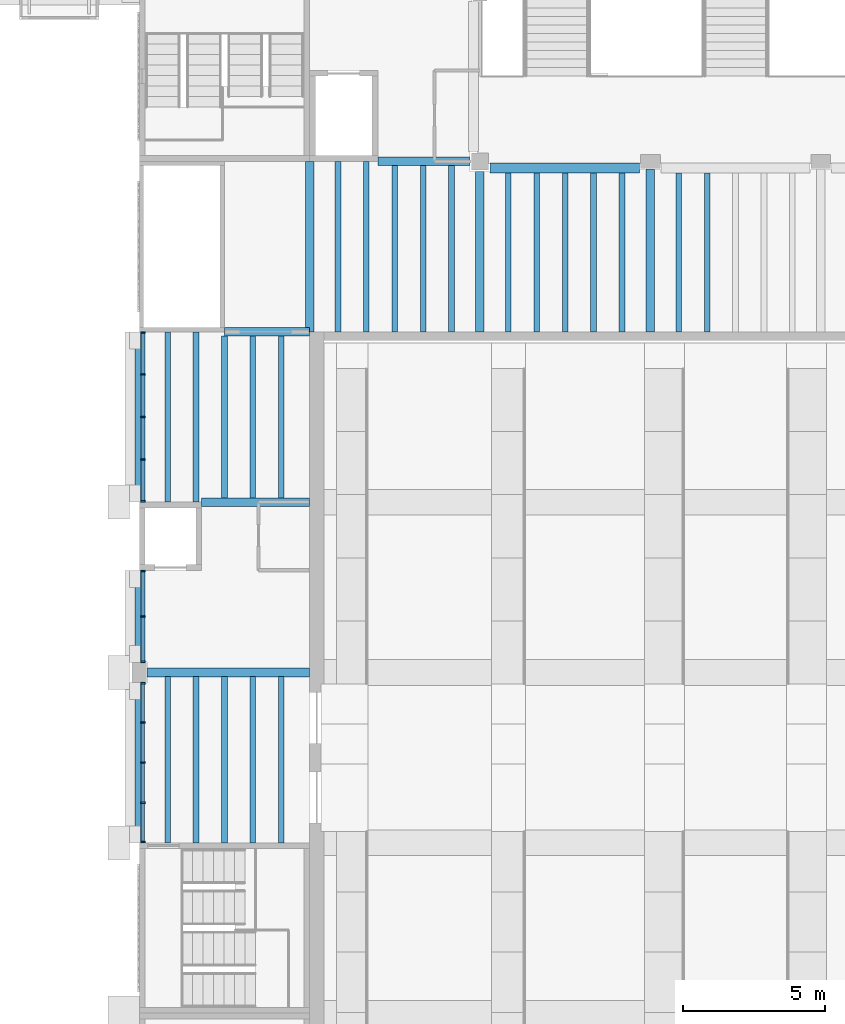
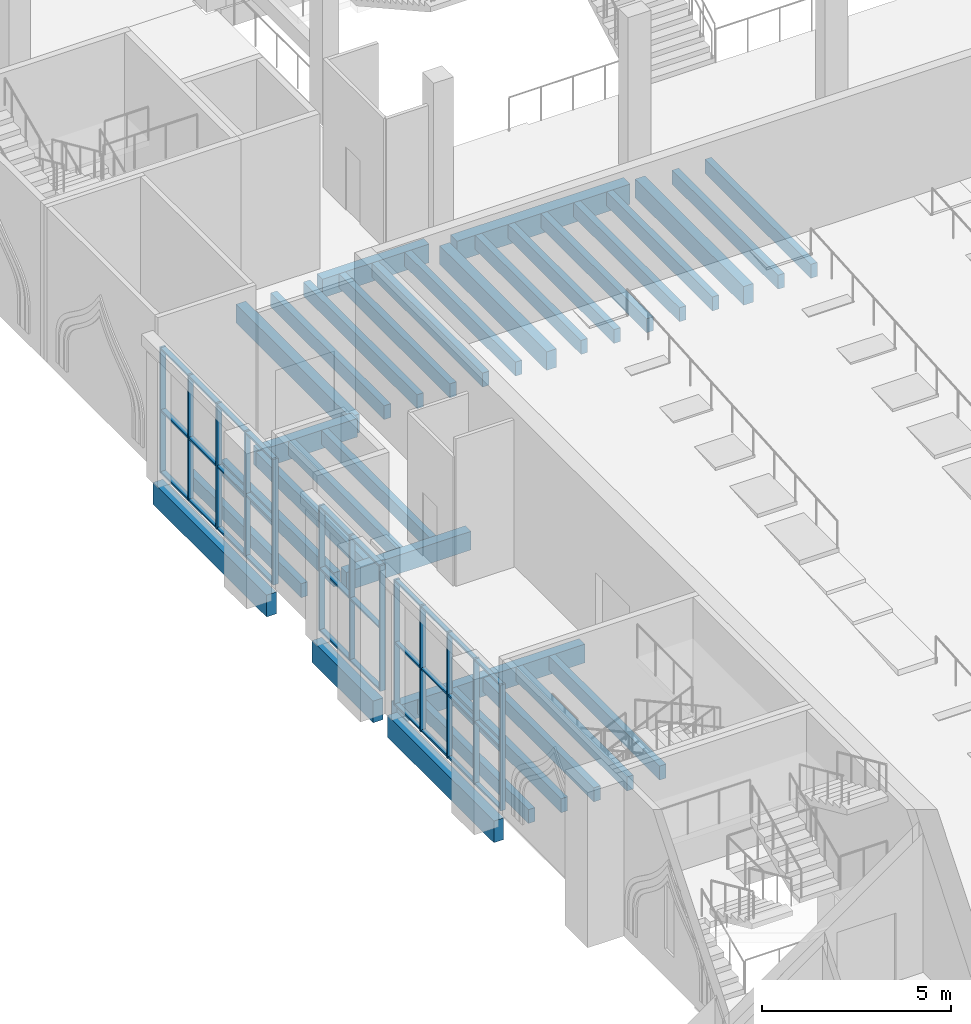
# One storey, part 19 of 80: 43 members, 33 beams, 3 elements without a shape of their own.
"""IFC4 building model written with IfcOpenShell, lengths in metres."""

from ifc_helpers import new_model, si_unit, direction, frame, origin, origin_2d, place, context, subcontext, project, spatial, rectangle, extrude, material, material_profile, profile_set, type_object, element, aggregate, save


model = new_model("IFC4")

# Units and contexts
model_context = context("Model", 3, precision=1e-05, world=origin(), true_north=direction((0.0, 1.0)))
body_context = subcontext(model_context, "Body", "Model", "MODEL_VIEW")
ifc_project = project(units=[si_unit("LENGTHUNIT", "METRE"), si_unit("AREAUNIT", "SQUARE_METRE"), si_unit("VOLUMEUNIT", "CUBIC_METRE"), si_unit("PLANEANGLEUNIT", "RADIAN"), si_unit("MASSUNIT", "GRAM", prefix="KILO")], contexts=[model_context])

# Site, building, storey
site_placement = place(None, origin())
site = spatial("IfcSite", under=ifc_project, at=site_placement, CompositionType="ELEMENT")
building_placement = place(site_placement, origin())
building = spatial("IfcBuilding", under=site, at=building_placement, Name="Saffron Lane Theatres", CompositionType="ELEMENT")
storey_placement = place(building_placement, frame((0.0, 0.0, 7.0)))
storey = spatial("IfcBuildingStorey", under=building, at=storey_placement, Name="L01", CompositionType="ELEMENT", Elevation=7.0)

# Curtain wall, members
ifc_material_1 = material(Name="Aluminium", Category="aluminium")
curtain_wall_type_1 = type_object("IfcCurtainWallType", Name="EX-CURTAIN WALL 5650x4050x160", PredefinedType="NOTDEFINED", material=ifc_material_1)
curtain_wall_1_placement = place(storey_placement, origin())
curtain_wall_1 = element("IfcCurtainWall", 1, at=curtain_wall_1_placement, inside=storey, type_object=curtain_wall_type_1, Name="Curtain wall L01 05", PredefinedType="NOTDEFINED")
ifc_material_2 = material(Name="Aluminium", Category="aluminium")
ifc_material_profile_1 = material_profile(ifc_material_2, rectangle(XDim=0.06005859375, YDim=0.159912109375, at=origin_2d()))
ifc_profile_set_1 = profile_set([ifc_material_profile_1], Name="Aluminium")
member_type_1 = type_object("IfcMemberType", Name="EX-CW MULLION 60x160", PredefinedType="MULLION", material=ifc_profile_set_1)
member_1_placement = place(storey_placement, frame((12.1298828125, 72.030029296875, 0.0), z_axis=(0.0, 0.0, 1.0), x_axis=(0.0, 1.0, 0.0)))
member_1 = element("IfcMember", 2, at=member_1_placement, type_object=member_type_1, Name="CW-01-05 mullion 1", PredefinedType="MULLION", context=body_context, shape_type="SweptSolid", body=[
    extrude(rectangle(XDim=0.06005859375, YDim=0.159912109375, at=origin_2d()), origin(), (0.0, 0.0, 1.0), 4.050048828125),
])
member_2_placement = place(storey_placement, frame((12.1298828125, 73.41259765625, 0.0), z_axis=(0.0, 0.0, 1.0), x_axis=(0.0, 1.0, 0.0)))
member_2 = element("IfcMember", 3, at=member_2_placement, type_object=member_type_1, Name="CW-01-05 mullion 2", PredefinedType="MULLION", context=body_context, shape_type="SweptSolid", body=[
    extrude(rectangle(XDim=0.06005859375, YDim=0.159912109375, at=origin_2d()), origin(), (0.0, 0.0, 1.0), 4.050048828125),
])
member_3_placement = place(storey_placement, frame((12.1298828125, 74.824951171875, 0.0), z_axis=(0.0, 0.0, 1.0), x_axis=(0.0, 1.0, 0.0)))
member_3 = element("IfcMember", 4, at=member_3_placement, type_object=member_type_1, Name="CW-01-05 mullion 3", PredefinedType="MULLION", context=body_context, shape_type="SweptSolid", body=[
    extrude(rectangle(XDim=0.06005859375, YDim=0.159912109375, at=origin_2d()), origin(), (0.0, 0.0, 1.0), 4.050048828125),
])
member_4_placement = place(storey_placement, frame((12.1298828125, 76.237548828125, 0.0), z_axis=(0.0, 0.0, 1.0), x_axis=(0.0, 1.0, 0.0)))
member_4 = element("IfcMember", 5, at=member_4_placement, type_object=member_type_1, Name="CW-01-05 mullion 4", PredefinedType="MULLION", context=body_context, shape_type="SweptSolid", body=[
    extrude(rectangle(XDim=0.06005859375, YDim=0.159912109375, at=origin_2d()), origin(), (0.0, 0.0, 1.0), 4.050048828125),
])
member_5_placement = place(storey_placement, frame((12.1298828125, 77.619873046875, 0.0), z_axis=(0.0, 0.0, 1.0), x_axis=(0.0, 1.0, 0.0)))
member_5 = element("IfcMember", 6, at=member_5_placement, type_object=member_type_1, Name="CW-01-05 mullion 5", PredefinedType="MULLION", context=body_context, shape_type="SweptSolid", body=[
    extrude(rectangle(XDim=0.06005859375, YDim=0.159912109375, at=origin_2d()), origin(), (0.0, 0.0, 1.0), 4.050048828125),
])

ifc_material_3 = material(Name="Aluminium", Category="aluminium")
curtain_wall_type_2 = type_object("IfcCurtainWallType", Name="EX-CURTAIN WALL 3250x4050x160", PredefinedType="NOTDEFINED", material=ifc_material_3)
curtain_wall_2_placement = place(storey_placement, origin())
curtain_wall_2 = element("IfcCurtainWall", 7, at=curtain_wall_2_placement, inside=storey, type_object=curtain_wall_type_2, Name="Curtain wall L01 06", PredefinedType="NOTDEFINED")
member_6_placement = place(storey_placement, frame((12.1298828125, 78.380126953125, 0.0), z_axis=(0.0, 0.0, 1.0), x_axis=(0.0, 1.0, 0.0)))
member_6 = element("IfcMember", 8, at=member_6_placement, type_object=member_type_1, Name="CW-01-06 mullion 1", PredefinedType="MULLION", context=body_context, shape_type="SweptSolid", body=[
    extrude(rectangle(XDim=0.06005859375, YDim=0.159912109375, at=origin_2d()), origin(), (0.0, 0.0, 1.0), 4.050048828125),
])
member_7_placement = place(storey_placement, frame((12.1298828125, 79.97509765625, 0.0), z_axis=(0.0, 0.0, 1.0), x_axis=(0.0, 1.0, 0.0)))
member_7 = element("IfcMember", 9, at=member_7_placement, type_object=member_type_1, Name="CW-01-06 mullion 2", PredefinedType="MULLION", context=body_context, shape_type="SweptSolid", body=[
    extrude(rectangle(XDim=0.06005859375, YDim=0.159912109375, at=origin_2d()), origin(), (0.0, 0.0, 1.0), 4.050048828125),
])
member_8_placement = place(storey_placement, frame((12.1298828125, 81.570068359375, 0.0), z_axis=(0.0, 0.0, 1.0), x_axis=(0.0, 1.0, 0.0)))
member_8 = element("IfcMember", 10, at=member_8_placement, type_object=member_type_1, Name="CW-01-06 mullion 3", PredefinedType="MULLION", context=body_context, shape_type="SweptSolid", body=[
    extrude(rectangle(XDim=0.06005859375, YDim=0.159912109375, at=origin_2d()), origin(), (0.0, 0.0, 1.0), 4.050048828125),
])

ifc_material_4 = material(Name="Aluminium", Category="aluminium")
curtain_wall_type_3 = type_object("IfcCurtainWallType", Name="EX-CURTAIN WALL 6000x4050x160", PredefinedType="NOTDEFINED", material=ifc_material_4)
curtain_wall_3_placement = place(storey_placement, origin())
curtain_wall_3 = element("IfcCurtainWall", 11, at=curtain_wall_3_placement, inside=storey, type_object=curtain_wall_type_3, Name="Curtain wall L01 07", PredefinedType="NOTDEFINED")
member_9_placement = place(storey_placement, frame((12.1298828125, 84.030029296875, 0.0), z_axis=(0.0, 0.0, 1.0), x_axis=(0.0, 1.0, 0.0)))
member_9 = element("IfcMember", 12, at=member_9_placement, type_object=member_type_1, Name="CW-01-07 mullion 1", PredefinedType="MULLION", context=body_context, shape_type="SweptSolid", body=[
    extrude(rectangle(XDim=0.06005859375, YDim=0.159912109375, at=origin_2d()), origin(), (0.0, 0.0, 1.0), 4.050048828125),
])
member_10_placement = place(storey_placement, frame((12.1298828125, 85.5, 0.0), z_axis=(0.0, 0.0, 1.0), x_axis=(0.0, 1.0, 0.0)))
member_10 = element("IfcMember", 13, at=member_10_placement, type_object=member_type_1, Name="CW-01-07 mullion 2", PredefinedType="MULLION", context=body_context, shape_type="SweptSolid", body=[
    extrude(rectangle(XDim=0.06005859375, YDim=0.159912109375, at=origin_2d()), origin(), (0.0, 0.0, 1.0), 4.050048828125),
])
member_11_placement = place(storey_placement, frame((12.1298828125, 87.0, 0.0), z_axis=(0.0, 0.0, 1.0), x_axis=(0.0, 1.0, 0.0)))
member_11 = element("IfcMember", 14, at=member_11_placement, type_object=member_type_1, Name="CW-01-07 mullion 3", PredefinedType="MULLION", context=body_context, shape_type="SweptSolid", body=[
    extrude(rectangle(XDim=0.06005859375, YDim=0.159912109375, at=origin_2d()), origin(), (0.0, 0.0, 1.0), 4.050048828125),
])
member_12_placement = place(storey_placement, frame((12.1298828125, 88.5, 0.0), z_axis=(0.0, 0.0, 1.0), x_axis=(0.0, 1.0, 0.0)))
member_12 = element("IfcMember", 15, at=member_12_placement, type_object=member_type_1, Name="CW-01-07 mullion 4", PredefinedType="MULLION", context=body_context, shape_type="SweptSolid", body=[
    extrude(rectangle(XDim=0.06005859375, YDim=0.159912109375, at=origin_2d()), origin(), (0.0, 0.0, 1.0), 4.050048828125),
])
member_13_placement = place(storey_placement, frame((12.1298828125, 89.969970703125, 0.0), z_axis=(0.0, 0.0, 1.0), x_axis=(0.0, 1.0, 0.0)))
member_13 = element("IfcMember", 16, at=member_13_placement, type_object=member_type_1, Name="CW-01-07 mullion 5", PredefinedType="MULLION", context=body_context, shape_type="SweptSolid", body=[
    extrude(rectangle(XDim=0.06005859375, YDim=0.159912109375, at=origin_2d()), origin(), (0.0, 0.0, 1.0), 4.050048828125),
])

# Member
ifc_material_5 = material(Name="Aluminium", Category="aluminium")
ifc_material_profile_2 = material_profile(ifc_material_5, rectangle(XDim=0.1201171875, YDim=0.06005859375, at=origin_2d()))
ifc_profile_set_2 = profile_set([ifc_material_profile_2], Name="Aluminium")
member_type_2 = type_object("IfcMemberType", Name="EX-CW TRANSOM 120x60", PredefinedType="USERDEFINED", material=ifc_profile_set_2)
member_14_placement = place(storey_placement, frame((12.1298828125, 72.06005859375, 0.030029296875), z_axis=(0.0, 1.0, 0.0), x_axis=(-1.0, 0.0, 0.0)))
member_14 = element("IfcMember", 17, at=member_14_placement, type_object=member_type_2, Name="CW-01-05 transom 1.1", ObjectType="TRANSOM", PredefinedType="USERDEFINED", context=body_context, shape_type="SweptSolid", body=[
    extrude(rectangle(XDim=0.1201171875, YDim=0.06005859375, at=origin_2d()), origin(), (0.0, 0.0, 1.0), 1.322509765625),
])

member_15_placement = place(storey_placement, frame((12.1298828125, 72.06005859375, 2.02490234375), z_axis=(0.0, 1.0, 0.0), x_axis=(-1.0, 0.0, 0.0)))
member_15 = element("IfcMember", 18, at=member_15_placement, type_object=member_type_2, Name="CW-01-05 transom 1.2", ObjectType="TRANSOM", PredefinedType="USERDEFINED", context=body_context, shape_type="SweptSolid", body=[
    extrude(rectangle(XDim=0.1201171875, YDim=0.06005859375, at=origin_2d()), origin(), (0.0, 0.0, 1.0), 1.322509765625),
])

member_16_placement = place(storey_placement, frame((12.1298828125, 72.06005859375, 4.02001953125), z_axis=(0.0, 1.0, 0.0), x_axis=(-1.0, 0.0, 0.0)))
member_16 = element("IfcMember", 19, at=member_16_placement, type_object=member_type_2, Name="CW-01-05 transom 1.3", ObjectType="TRANSOM", PredefinedType="USERDEFINED", context=body_context, shape_type="SweptSolid", body=[
    extrude(rectangle(XDim=0.1201171875, YDim=0.06005859375, at=origin_2d()), origin(), (0.0, 0.0, 1.0), 1.322509765625),
])

member_17_placement = place(storey_placement, frame((12.1298828125, 73.4423828125, 0.030029296875), z_axis=(0.0, 1.0, 0.0), x_axis=(-1.0, 0.0, 0.0)))
member_17 = element("IfcMember", 20, at=member_17_placement, type_object=member_type_2, Name="CW-01-05 transom 2.1", ObjectType="TRANSOM", PredefinedType="USERDEFINED", context=body_context, shape_type="SweptSolid", body=[
    extrude(rectangle(XDim=0.1201171875, YDim=0.06005859375, at=origin_2d()), origin(), (0.0, 0.0, 1.0), 1.3525390625),
])

member_18_placement = place(storey_placement, frame((12.1298828125, 73.4423828125, 2.02490234375), z_axis=(0.0, 1.0, 0.0), x_axis=(-1.0, 0.0, 0.0)))
member_18 = element("IfcMember", 21, at=member_18_placement, type_object=member_type_2, Name="CW-01-05 transom 2.2", ObjectType="TRANSOM", PredefinedType="USERDEFINED", context=body_context, shape_type="SweptSolid", body=[
    extrude(rectangle(XDim=0.1201171875, YDim=0.06005859375, at=origin_2d()), origin(), (0.0, 0.0, 1.0), 1.3525390625),
])

member_19_placement = place(storey_placement, frame((12.1298828125, 73.4423828125, 4.02001953125), z_axis=(0.0, 1.0, 0.0), x_axis=(-1.0, 0.0, 0.0)))
member_19 = element("IfcMember", 22, at=member_19_placement, type_object=member_type_2, Name="CW-01-05 transom 2.3", ObjectType="TRANSOM", PredefinedType="USERDEFINED", context=body_context, shape_type="SweptSolid", body=[
    extrude(rectangle(XDim=0.1201171875, YDim=0.06005859375, at=origin_2d()), origin(), (0.0, 0.0, 1.0), 1.3525390625),
])

member_20_placement = place(storey_placement, frame((12.1298828125, 74.85498046875, 0.030029296875), z_axis=(0.0, 1.0, 0.0), x_axis=(-1.0, 0.0, 0.0)))
member_20 = element("IfcMember", 23, at=member_20_placement, type_object=member_type_2, Name="CW-01-05 transom 3.1", ObjectType="TRANSOM", PredefinedType="USERDEFINED", context=body_context, shape_type="SweptSolid", body=[
    extrude(rectangle(XDim=0.1201171875, YDim=0.06005859375, at=origin_2d()), origin(), (0.0, 0.0, 1.0), 1.3525390625),
])

member_21_placement = place(storey_placement, frame((12.1298828125, 74.85498046875, 2.02490234375), z_axis=(0.0, 1.0, 0.0), x_axis=(-1.0, 0.0, 0.0)))
member_21 = element("IfcMember", 24, at=member_21_placement, type_object=member_type_2, Name="CW-01-05 transom 3.2", ObjectType="TRANSOM", PredefinedType="USERDEFINED", context=body_context, shape_type="SweptSolid", body=[
    extrude(rectangle(XDim=0.1201171875, YDim=0.06005859375, at=origin_2d()), origin(), (0.0, 0.0, 1.0), 1.3525390625),
])

member_22_placement = place(storey_placement, frame((12.1298828125, 74.85498046875, 4.02001953125), z_axis=(0.0, 1.0, 0.0), x_axis=(-1.0, 0.0, 0.0)))
member_22 = element("IfcMember", 25, at=member_22_placement, type_object=member_type_2, Name="CW-01-05 transom 3.3", ObjectType="TRANSOM", PredefinedType="USERDEFINED", context=body_context, shape_type="SweptSolid", body=[
    extrude(rectangle(XDim=0.1201171875, YDim=0.06005859375, at=origin_2d()), origin(), (0.0, 0.0, 1.0), 1.3525390625),
])

member_23_placement = place(storey_placement, frame((12.1298828125, 76.267333984375, 0.030029296875), z_axis=(0.0, 1.0, 0.0), x_axis=(-1.0, 0.0, 0.0)))
member_23 = element("IfcMember", 26, at=member_23_placement, type_object=member_type_2, Name="CW-01-05 transom 4.1", ObjectType="TRANSOM", PredefinedType="USERDEFINED", context=body_context, shape_type="SweptSolid", body=[
    extrude(rectangle(XDim=0.1201171875, YDim=0.06005859375, at=origin_2d()), origin(), (0.0, 0.0, 1.0), 1.322509765625),
])

member_24_placement = place(storey_placement, frame((12.1298828125, 76.267333984375, 2.02490234375), z_axis=(0.0, 1.0, 0.0), x_axis=(-1.0, 0.0, 0.0)))
member_24 = element("IfcMember", 27, at=member_24_placement, type_object=member_type_2, Name="CW-01-05 transom 4.2", ObjectType="TRANSOM", PredefinedType="USERDEFINED", context=body_context, shape_type="SweptSolid", body=[
    extrude(rectangle(XDim=0.1201171875, YDim=0.06005859375, at=origin_2d()), origin(), (0.0, 0.0, 1.0), 1.322509765625),
])

member_25_placement = place(storey_placement, frame((12.1298828125, 76.267333984375, 4.02001953125), z_axis=(0.0, 1.0, 0.0), x_axis=(-1.0, 0.0, 0.0)))
member_25 = element("IfcMember", 28, at=member_25_placement, type_object=member_type_2, Name="CW-01-05 transom 4.3", ObjectType="TRANSOM", PredefinedType="USERDEFINED", context=body_context, shape_type="SweptSolid", body=[
    extrude(rectangle(XDim=0.1201171875, YDim=0.06005859375, at=origin_2d()), origin(), (0.0, 0.0, 1.0), 1.322509765625),
])

aggregate(curtain_wall_1, [member_1, member_2, member_3, member_4, member_5, member_14, member_15, member_16, member_17, member_18, member_19, member_20, member_21, member_22, member_23, member_24, member_25])

ifc_material_6 = material(Name="Aluminium", Category="aluminium")
ifc_material_profile_3 = material_profile(ifc_material_6, rectangle(XDim=0.14990234375, YDim=0.06005859375, at=origin_2d()))
ifc_profile_set_3 = profile_set([ifc_material_profile_3], Name="Aluminium")
member_type_3 = type_object("IfcMemberType", Name="EX-CW TRANSOM 150x60", PredefinedType="USERDEFINED", material=ifc_profile_set_3)
member_26_placement = place(storey_placement, frame((12.1298828125, 78.41015625, 0.030029296875), z_axis=(0.0, 1.0, 0.0), x_axis=(-1.0, 0.0, 0.0)))
member_26 = element("IfcMember", 29, at=member_26_placement, type_object=member_type_3, Name="CW-01-06 transom 1.1", ObjectType="TRANSOM", PredefinedType="USERDEFINED", context=body_context, shape_type="SweptSolid", body=[
    extrude(rectangle(XDim=0.14990234375, YDim=0.06005859375, at=origin_2d()), origin(), (0.0, 0.0, 1.0), 1.534912109375),
])

member_27_placement = place(storey_placement, frame((12.1298828125, 78.41015625, 2.02490234375), z_axis=(0.0, 1.0, 0.0), x_axis=(-1.0, 0.0, 0.0)))
member_27 = element("IfcMember", 30, at=member_27_placement, type_object=member_type_3, Name="CW-01-06 transom 1.2", ObjectType="TRANSOM", PredefinedType="USERDEFINED", context=body_context, shape_type="SweptSolid", body=[
    extrude(rectangle(XDim=0.14990234375, YDim=0.06005859375, at=origin_2d()), origin(), (0.0, 0.0, 1.0), 1.534912109375),
])

member_28_placement = place(storey_placement, frame((12.1298828125, 78.41015625, 4.02001953125), z_axis=(0.0, 1.0, 0.0), x_axis=(-1.0, 0.0, 0.0)))
member_28 = element("IfcMember", 31, at=member_28_placement, type_object=member_type_3, Name="CW-01-06 transom 1.3", ObjectType="TRANSOM", PredefinedType="USERDEFINED", context=body_context, shape_type="SweptSolid", body=[
    extrude(rectangle(XDim=0.14990234375, YDim=0.06005859375, at=origin_2d()), origin(), (0.0, 0.0, 1.0), 1.534912109375),
])

member_29_placement = place(storey_placement, frame((12.1298828125, 80.005126953125, 0.030029296875), z_axis=(0.0, 1.0, 0.0), x_axis=(-1.0, 0.0, 0.0)))
member_29 = element("IfcMember", 32, at=member_29_placement, type_object=member_type_3, Name="CW-01-06 transom 2.1", ObjectType="TRANSOM", PredefinedType="USERDEFINED", context=body_context, shape_type="SweptSolid", body=[
    extrude(rectangle(XDim=0.14990234375, YDim=0.06005859375, at=origin_2d()), origin(), (0.0, 0.0, 1.0), 1.534912109375),
])

member_30_placement = place(storey_placement, frame((12.1298828125, 80.005126953125, 2.02490234375), z_axis=(0.0, 1.0, 0.0), x_axis=(-1.0, 0.0, 0.0)))
member_30 = element("IfcMember", 33, at=member_30_placement, type_object=member_type_3, Name="CW-01-06 transom 2.2", ObjectType="TRANSOM", PredefinedType="USERDEFINED", context=body_context, shape_type="SweptSolid", body=[
    extrude(rectangle(XDim=0.14990234375, YDim=0.06005859375, at=origin_2d()), origin(), (0.0, 0.0, 1.0), 1.534912109375),
])

member_31_placement = place(storey_placement, frame((12.1298828125, 80.005126953125, 4.02001953125), z_axis=(0.0, 1.0, 0.0), x_axis=(-1.0, 0.0, 0.0)))
member_31 = element("IfcMember", 34, at=member_31_placement, type_object=member_type_3, Name="CW-01-06 transom 2.3", ObjectType="TRANSOM", PredefinedType="USERDEFINED", context=body_context, shape_type="SweptSolid", body=[
    extrude(rectangle(XDim=0.14990234375, YDim=0.06005859375, at=origin_2d()), origin(), (0.0, 0.0, 1.0), 1.534912109375),
])

aggregate(curtain_wall_2, [member_6, member_7, member_8, member_26, member_27, member_28, member_29, member_30, member_31])

member_32_placement = place(storey_placement, frame((12.1298828125, 84.06005859375, 0.030029296875), z_axis=(0.0, 1.0, 0.0), x_axis=(-1.0, 0.0, 0.0)))
member_32 = element("IfcMember", 35, at=member_32_placement, type_object=member_type_3, Name="CW-01-07 transom 1.1", ObjectType="TRANSOM", PredefinedType="USERDEFINED", context=body_context, shape_type="SweptSolid", body=[
    extrude(rectangle(XDim=0.14990234375, YDim=0.06005859375, at=origin_2d()), origin(), (0.0, 0.0, 1.0), 1.409912109375),
])

member_33_placement = place(storey_placement, frame((12.1298828125, 84.06005859375, 2.02490234375), z_axis=(0.0, 1.0, 0.0), x_axis=(-1.0, 0.0, 0.0)))
member_33 = element("IfcMember", 36, at=member_33_placement, type_object=member_type_3, Name="CW-01-07 transom 1.2", ObjectType="TRANSOM", PredefinedType="USERDEFINED", context=body_context, shape_type="SweptSolid", body=[
    extrude(rectangle(XDim=0.14990234375, YDim=0.06005859375, at=origin_2d()), origin(), (0.0, 0.0, 1.0), 1.409912109375),
])

member_34_placement = place(storey_placement, frame((12.1298828125, 84.06005859375, 4.02001953125), z_axis=(0.0, 1.0, 0.0), x_axis=(-1.0, 0.0, 0.0)))
member_34 = element("IfcMember", 37, at=member_34_placement, type_object=member_type_3, Name="CW-01-07 transom 1.3", ObjectType="TRANSOM", PredefinedType="USERDEFINED", context=body_context, shape_type="SweptSolid", body=[
    extrude(rectangle(XDim=0.14990234375, YDim=0.06005859375, at=origin_2d()), origin(), (0.0, 0.0, 1.0), 1.409912109375),
])

member_35_placement = place(storey_placement, frame((12.1298828125, 85.530029296875, 0.030029296875), z_axis=(0.0, 1.0, 0.0), x_axis=(-1.0, 0.0, 0.0)))
member_35 = element("IfcMember", 38, at=member_35_placement, type_object=member_type_3, Name="CW-01-07 transom 2.1", ObjectType="TRANSOM", PredefinedType="USERDEFINED", context=body_context, shape_type="SweptSolid", body=[
    extrude(rectangle(XDim=0.14990234375, YDim=0.06005859375, at=origin_2d()), origin(), (0.0, 0.0, 1.0), 1.43994140625),
])

member_36_placement = place(storey_placement, frame((12.1298828125, 85.530029296875, 2.02490234375), z_axis=(0.0, 1.0, 0.0), x_axis=(-1.0, 0.0, 0.0)))
member_36 = element("IfcMember", 39, at=member_36_placement, type_object=member_type_3, Name="CW-01-07 transom 2.2", ObjectType="TRANSOM", PredefinedType="USERDEFINED", context=body_context, shape_type="SweptSolid", body=[
    extrude(rectangle(XDim=0.14990234375, YDim=0.06005859375, at=origin_2d()), origin(), (0.0, 0.0, 1.0), 1.43994140625),
])

member_37_placement = place(storey_placement, frame((12.1298828125, 85.530029296875, 4.02001953125), z_axis=(0.0, 1.0, 0.0), x_axis=(-1.0, 0.0, 0.0)))
member_37 = element("IfcMember", 40, at=member_37_placement, type_object=member_type_3, Name="CW-01-07 transom 2.3", ObjectType="TRANSOM", PredefinedType="USERDEFINED", context=body_context, shape_type="SweptSolid", body=[
    extrude(rectangle(XDim=0.14990234375, YDim=0.06005859375, at=origin_2d()), origin(), (0.0, 0.0, 1.0), 1.43994140625),
])

member_38_placement = place(storey_placement, frame((12.1298828125, 87.030029296875, 0.030029296875), z_axis=(0.0, 1.0, 0.0), x_axis=(-1.0, 0.0, 0.0)))
member_38 = element("IfcMember", 41, at=member_38_placement, type_object=member_type_3, Name="CW-01-07 transom 3.1", ObjectType="TRANSOM", PredefinedType="USERDEFINED", context=body_context, shape_type="SweptSolid", body=[
    extrude(rectangle(XDim=0.14990234375, YDim=0.06005859375, at=origin_2d()), origin(), (0.0, 0.0, 1.0), 1.43994140625),
])

member_39_placement = place(storey_placement, frame((12.1298828125, 87.030029296875, 2.02490234375), z_axis=(0.0, 1.0, 0.0), x_axis=(-1.0, 0.0, 0.0)))
member_39 = element("IfcMember", 42, at=member_39_placement, type_object=member_type_3, Name="CW-01-07 transom 3.2", ObjectType="TRANSOM", PredefinedType="USERDEFINED", context=body_context, shape_type="SweptSolid", body=[
    extrude(rectangle(XDim=0.14990234375, YDim=0.06005859375, at=origin_2d()), origin(), (0.0, 0.0, 1.0), 1.43994140625),
])

member_40_placement = place(storey_placement, frame((12.1298828125, 87.030029296875, 4.02001953125), z_axis=(0.0, 1.0, 0.0), x_axis=(-1.0, 0.0, 0.0)))
member_40 = element("IfcMember", 43, at=member_40_placement, type_object=member_type_3, Name="CW-01-07 transom 3.3", ObjectType="TRANSOM", PredefinedType="USERDEFINED", context=body_context, shape_type="SweptSolid", body=[
    extrude(rectangle(XDim=0.14990234375, YDim=0.06005859375, at=origin_2d()), origin(), (0.0, 0.0, 1.0), 1.43994140625),
])

member_41_placement = place(storey_placement, frame((12.1298828125, 88.530029296875, 0.030029296875), z_axis=(0.0, 1.0, 0.0), x_axis=(-1.0, 0.0, 0.0)))
member_41 = element("IfcMember", 44, at=member_41_placement, type_object=member_type_3, Name="CW-01-07 transom 4.1", ObjectType="TRANSOM", PredefinedType="USERDEFINED", context=body_context, shape_type="SweptSolid", body=[
    extrude(rectangle(XDim=0.14990234375, YDim=0.06005859375, at=origin_2d()), origin(), (0.0, 0.0, 1.0), 1.409912109375),
])

member_42_placement = place(storey_placement, frame((12.1298828125, 88.530029296875, 2.02490234375), z_axis=(0.0, 1.0, 0.0), x_axis=(-1.0, 0.0, 0.0)))
member_42 = element("IfcMember", 45, at=member_42_placement, type_object=member_type_3, Name="CW-01-07 transom 4.2", ObjectType="TRANSOM", PredefinedType="USERDEFINED", context=body_context, shape_type="SweptSolid", body=[
    extrude(rectangle(XDim=0.14990234375, YDim=0.06005859375, at=origin_2d()), origin(), (0.0, 0.0, 1.0), 1.409912109375),
])

member_43_placement = place(storey_placement, frame((12.1298828125, 88.530029296875, 4.02001953125), z_axis=(0.0, 1.0, 0.0), x_axis=(-1.0, 0.0, 0.0)))
member_43 = element("IfcMember", 46, at=member_43_placement, type_object=member_type_3, Name="CW-01-07 transom 4.3", ObjectType="TRANSOM", PredefinedType="USERDEFINED", context=body_context, shape_type="SweptSolid", body=[
    extrude(rectangle(XDim=0.14990234375, YDim=0.06005859375, at=origin_2d()), origin(), (0.0, 0.0, 1.0), 1.409912109375),
])

aggregate(curtain_wall_3, [member_9, member_10, member_11, member_12, member_13, member_32, member_33, member_34, member_35, member_36, member_37, member_38, member_39, member_40, member_41, member_42, member_43])

# Beams
ifc_material_7 = material(Name="Concrete N40 (40 MPa)", Category="concrete")
ifc_material_profile_4 = material_profile(ifc_material_7, rectangle(XDim=0.300048828125, YDim=0.60009765625, at=origin_2d()))
ifc_profile_set_4 = profile_set([ifc_material_profile_4], Name="Concrete N40 (40 MPa)")
beam_type_1 = type_object("IfcBeamType", Name="RC-BEAM 300x600", PredefinedType="BEAM", material=ifc_profile_set_4)
beam_1_placement = place(storey_placement, frame((12.27490234375, 78.0, -0.550048828125), z_axis=(1.0, 0.0, 0.0), x_axis=(0.0, 1.0, 0.0)))
element("IfcBeam", 47, at=beam_1_placement, inside=storey, type_object=beam_type_1, Name="beam-L01-x780-123", PredefinedType="BEAM", context=body_context, shape_type="SweptSolid", body=[
    extrude(rectangle(XDim=0.300048828125, YDim=0.60009765625, at=origin_2d()), origin(), (0.0, 0.0, 1.0), 5.72509765625),
])
beam_2_placement = place(storey_placement, frame((14.199951171875, 84.0, -0.550048828125), z_axis=(1.0, 0.0, 0.0), x_axis=(0.0, 1.0, 0.0)))
element("IfcBeam", 48, at=beam_2_placement, inside=storey, type_object=beam_type_1, Name="beam-L01-x840-142", PredefinedType="BEAM", context=body_context, shape_type="SweptSolid", body=[
    extrude(rectangle(XDim=0.300048828125, YDim=0.60009765625, at=origin_2d()), origin(), (0.0, 0.0, 1.0), 3.800048828125),
])
beam_3_placement = place(storey_placement, frame((15.0, 90.0, -0.550048828125), z_axis=(1.0, 0.0, 0.0), x_axis=(0.0, 1.0, 0.0)))
element("IfcBeam", 49, at=beam_3_placement, inside=storey, type_object=beam_type_1, Name="beam-L01-x900-150", PredefinedType="BEAM", context=body_context, shape_type="SweptSolid", body=[
    extrude(rectangle(XDim=0.300048828125, YDim=0.60009765625, at=origin_2d()), origin(), (0.0, 0.0, 1.0), 3.0),
])
beam_4_placement = place(storey_placement, frame((20.39990234375, 96.0, -0.550048828125), z_axis=(1.0, 0.0, 0.0), x_axis=(0.0, 1.0, 0.0)))
element("IfcBeam", 50, at=beam_4_placement, inside=storey, type_object=beam_type_1, Name="beam-L01-x960-204", PredefinedType="BEAM", context=body_context, shape_type="SweptSolid", body=[
    extrude(rectangle(XDim=0.300048828125, YDim=0.60009765625, at=origin_2d()), origin(), (0.0, 0.0, 1.0), 3.25),
])
beam_5_placement = place(storey_placement, frame((18.0, 90.0, -0.550048828125), z_axis=(0.0, 1.0, 0.0), x_axis=(-1.0, 0.0, 0.0)))
element("IfcBeam", 51, at=beam_5_placement, inside=storey, type_object=beam_type_1, Name="beam-L01-y180-900", PredefinedType="BEAM", context=body_context, shape_type="SweptSolid", body=[
    extrude(rectangle(XDim=0.300048828125, YDim=0.60009765625, at=origin_2d()), origin(), (0.0, 0.0, 1.0), 6.0),
])
beam_6_placement = place(storey_placement, frame((24.0, 90.0, -0.550048828125), z_axis=(0.0, 1.0, 0.0), x_axis=(-1.0, 0.0, 0.0)))
element("IfcBeam", 52, at=beam_6_placement, inside=storey, type_object=beam_type_1, Name="beam-L01-y240-900", PredefinedType="BEAM", context=body_context, shape_type="SweptSolid", body=[
    extrude(rectangle(XDim=0.300048828125, YDim=0.60009765625, at=origin_2d()), origin(), (0.0, 0.0, 1.0), 5.64990234375),
])
beam_7_placement = place(storey_placement, frame((30.0, 90.0, -0.550048828125), z_axis=(0.0, 1.0, 0.0), x_axis=(-1.0, 0.0, 0.0)))
element("IfcBeam", 53, at=beam_7_placement, inside=storey, type_object=beam_type_1, Name="beam-L01-y300-900", PredefinedType="BEAM", context=body_context, shape_type="SweptSolid", body=[
    extrude(rectangle(XDim=0.300048828125, YDim=0.60009765625, at=origin_2d()), origin(), (0.0, 0.0, 1.0), 5.72509765625),
])
ifc_material_8 = material(Name="Concrete N40 (40 MPa)", Category="concrete")
ifc_material_profile_5 = material_profile(ifc_material_8, rectangle(XDim=0.300048828125, YDim=0.699951171875, at=origin_2d()))
ifc_profile_set_5 = profile_set([ifc_material_profile_5], Name="Concrete N40 (40 MPa)")
beam_type_2 = type_object("IfcBeamType", Name="RC-BEAM 300x700", PredefinedType="BEAM", material=ifc_profile_set_5)
beam_8_placement = place(storey_placement, frame((12.0, 72.0, -0.60009765625), z_axis=(0.0, 1.0, 0.0), x_axis=(-1.0, 0.0, 0.0)))
element("IfcBeam", 54, at=beam_8_placement, inside=storey, type_object=beam_type_2, Name="beam-L01-y120-720", PredefinedType="BEAM", context=body_context, shape_type="SweptSolid", body=[
    extrude(rectangle(XDim=0.300048828125, YDim=0.699951171875, at=origin_2d()), origin(), (0.0, 0.0, 1.0), 5.625),
])
beam_9_placement = place(storey_placement, frame((12.0, 78.375, -0.60009765625), z_axis=(0.0, 1.0, 0.0), x_axis=(-1.0, 0.0, 0.0)))
element("IfcBeam", 55, at=beam_9_placement, inside=storey, type_object=beam_type_2, Name="beam-L01-y120-784", PredefinedType="BEAM", context=body_context, shape_type="SweptSolid", body=[
    extrude(rectangle(XDim=0.300048828125, YDim=0.699951171875, at=origin_2d()), origin(), (0.0, 0.0, 1.0), 3.22509765625),
])
beam_10_placement = place(storey_placement, frame((12.0, 84.0, -0.60009765625), z_axis=(0.0, 1.0, 0.0), x_axis=(-1.0, 0.0, 0.0)))
element("IfcBeam", 56, at=beam_10_placement, inside=storey, type_object=beam_type_2, Name="beam-L01-y120-840", PredefinedType="BEAM", context=body_context, shape_type="SweptSolid", body=[
    extrude(rectangle(XDim=0.300048828125, YDim=0.699951171875, at=origin_2d()), origin(), (0.0, 0.0, 1.0), 6.0),
])
ifc_material_9 = material(Name="Concrete N40 (40 MPa)", Category="concrete")
ifc_material_profile_6 = material_profile(ifc_material_9, rectangle(XDim=0.35009765625, YDim=0.64990234375, at=origin_2d()))
ifc_profile_set_6 = profile_set([ifc_material_profile_6], Name="Concrete N40 (40 MPa)")
beam_type_3 = type_object("IfcBeamType", Name="RC-BEAM 350x650", PredefinedType="BEAM", material=ifc_profile_set_6)
beam_11_placement = place(storey_placement, frame((24.35009765625, 95.764892578125, -0.574951171875), z_axis=(1.0, 0.0, 0.0), x_axis=(0.0, 1.0, 0.0)))
element("IfcBeam", 57, at=beam_11_placement, inside=storey, type_object=beam_type_3, Name="beam-L01-x960-244", PredefinedType="BEAM", context=body_context, shape_type="SweptSolid", body=[
    extrude(rectangle(XDim=0.35009765625, YDim=0.64990234375, at=origin_2d()), origin(), (0.0, 0.0, 1.0), 5.27490234375),
])
ifc_material_10 = material(Name="Concrete N40 (40 MPa)", Category="concrete")
ifc_material_profile_7 = material_profile(ifc_material_10, rectangle(XDim=0.199951171875, YDim=0.449951171875, at=origin_2d()))
ifc_profile_set_7 = profile_set([ifc_material_profile_7], Name="Concrete N40 (40 MPa)")
beam_type_4 = type_object("IfcBeamType", Name="RC-JOIST 200x450", PredefinedType="JOIST", material=ifc_profile_set_7)
for number, where, z_axis, x_axis, name in (
    (58, (13.0, 72.0, -0.47509765625), (0.0, 1.0, 0.0), (-1.0, 0.0, 0.0), "joist-L01-y1300-720"),
    (59, (14.0, 72.0, -0.47509765625), (0.0, 1.0, 0.0), (-1.0, 0.0, 0.0), "joist-L01-y1400-720"),
    (60, (15.0, 72.0, -0.47509765625), (0.0, 1.0, 0.0), (-1.0, 0.0, 0.0), "joist-L01-y1500-720"),
    (61, (16.0, 72.0, -0.47509765625), (0.0, 1.0, 0.0), (-1.0, 0.0, 0.0), "joist-L01-y1600-720"),
    (62, (17.0, 72.0, -0.47509765625), (0.0, 1.0, 0.0), (-1.0, 0.0, 0.0), "joist-L01-y1700-720"),
):
    element("IfcBeam", number, at=place(storey_placement, frame(where, z_axis=z_axis, x_axis=x_axis)), inside=storey, type_object=beam_type_4, Name=name, PredefinedType="JOIST", context=body_context, shape_type="SweptSolid", body=[
        extrude(rectangle(XDim=0.199951171875, YDim=0.449951171875, at=origin_2d()), origin(), (0.0, 0.0, 1.0), 5.85009765625),
    ])
for number, where, z_axis, x_axis, name in (
    (63, (13.0, 84.0, -0.47509765625), (0.0, 1.0, 0.0), (-1.0, 0.0, 0.0), "joist-L01-y1300-840"),
    (64, (14.0, 84.0, -0.47509765625), (0.0, 1.0, 0.0), (-1.0, 0.0, 0.0), "joist-L01-y1400-840"),
):
    element("IfcBeam", number, at=place(storey_placement, frame(where, z_axis=z_axis, x_axis=x_axis)), inside=storey, type_object=beam_type_4, Name=name, PredefinedType="JOIST", context=body_context, shape_type="SweptSolid", body=[
        extrude(rectangle(XDim=0.199951171875, YDim=0.449951171875, at=origin_2d()), origin(), (0.0, 0.0, 1.0), 6.0),
    ])
for number, where, z_axis, x_axis, name in (
    (65, (15.0, 84.14990234375, -0.47509765625), (0.0, 1.0, 0.0), (-1.0, 0.0, 0.0), "joist-L01-y1500-842"),
    (66, (16.0, 84.14990234375, -0.47509765625), (0.0, 1.0, 0.0), (-1.0, 0.0, 0.0), "joist-L01-y1600-842"),
    (67, (17.0, 84.14990234375, -0.47509765625), (0.0, 1.0, 0.0), (-1.0, 0.0, 0.0), "joist-L01-y1700-842"),
):
    element("IfcBeam", number, at=place(storey_placement, frame(where, z_axis=z_axis, x_axis=x_axis)), inside=storey, type_object=beam_type_4, Name=name, PredefinedType="JOIST", context=body_context, shape_type="SweptSolid", body=[
        extrude(rectangle(XDim=0.199951171875, YDim=0.449951171875, at=origin_2d()), origin(), (0.0, 0.0, 1.0), 5.7001953125),
    ])
for number, where, z_axis, x_axis, name in (
    (68, (19.0, 90.0, -0.47509765625), (0.0, 1.0, 0.0), (-1.0, 0.0, 0.0), "joist-L01-y1900-900"),
    (69, (20.0, 90.0, -0.47509765625), (0.0, 1.0, 0.0), (-1.0, 0.0, 0.0), "joist-L01-y2000-900"),
):
    element("IfcBeam", number, at=place(storey_placement, frame(where, z_axis=z_axis, x_axis=x_axis)), inside=storey, type_object=beam_type_4, Name=name, PredefinedType="JOIST", context=body_context, shape_type="SweptSolid", body=[
        extrude(rectangle(XDim=0.199951171875, YDim=0.449951171875, at=origin_2d()), origin(), (0.0, 0.0, 1.0), 6.0),
    ])
for number, where, z_axis, x_axis, name in (
    (70, (21.0, 90.0, -0.47509765625), (0.0, 1.0, 0.0), (-1.0, 0.0, 0.0), "joist-L01-y2100-900"),
    (71, (22.0, 90.0, -0.47509765625), (0.0, 1.0, 0.0), (-1.0, 0.0, 0.0), "joist-L01-y2200-900"),
    (72, (23.0, 90.0, -0.47509765625), (0.0, 1.0, 0.0), (-1.0, 0.0, 0.0), "joist-L01-y2300-900"),
):
    element("IfcBeam", number, at=place(storey_placement, frame(where, z_axis=z_axis, x_axis=x_axis)), inside=storey, type_object=beam_type_4, Name=name, PredefinedType="JOIST", context=body_context, shape_type="SweptSolid", body=[
        extrude(rectangle(XDim=0.199951171875, YDim=0.449951171875, at=origin_2d()), origin(), (0.0, 0.0, 1.0), 5.85009765625),
    ])
for number, where, z_axis, x_axis, name in (
    (73, (25.0, 90.0, -0.47509765625), (0.0, 1.0, 0.0), (-1.0, 0.0, 0.0), "joist-L01-y2500-900"),
    (74, (26.0, 90.0, -0.47509765625), (0.0, 1.0, 0.0), (-1.0, 0.0, 0.0), "joist-L01-y2600-900"),
    (75, (27.0, 90.0, -0.47509765625), (0.0, 1.0, 0.0), (-1.0, 0.0, 0.0), "joist-L01-y2700-900"),
    (76, (28.0, 90.0, -0.47509765625), (0.0, 1.0, 0.0), (-1.0, 0.0, 0.0), "joist-L01-y2800-900"),
    (77, (29.0, 90.0, -0.47509765625), (0.0, 1.0, 0.0), (-1.0, 0.0, 0.0), "joist-L01-y2900-900"),
    (78, (31.0, 90.0, -0.47509765625), (0.0, 1.0, 0.0), (-1.0, 0.0, 0.0), "joist-L01-y3100-900"),
    (79, (32.0, 90.0, -0.47509765625), (0.0, 1.0, 0.0), (-1.0, 0.0, 0.0), "joist-L01-y3200-900"),
):
    element("IfcBeam", number, at=place(storey_placement, frame(where, z_axis=z_axis, x_axis=x_axis)), inside=storey, type_object=beam_type_4, Name=name, PredefinedType="JOIST", context=body_context, shape_type="SweptSolid", body=[
        extrude(rectangle(XDim=0.199951171875, YDim=0.449951171875, at=origin_2d()), origin(), (0.0, 0.0, 1.0), 5.590087890625),
    ])

save(model, "model.ifc")
